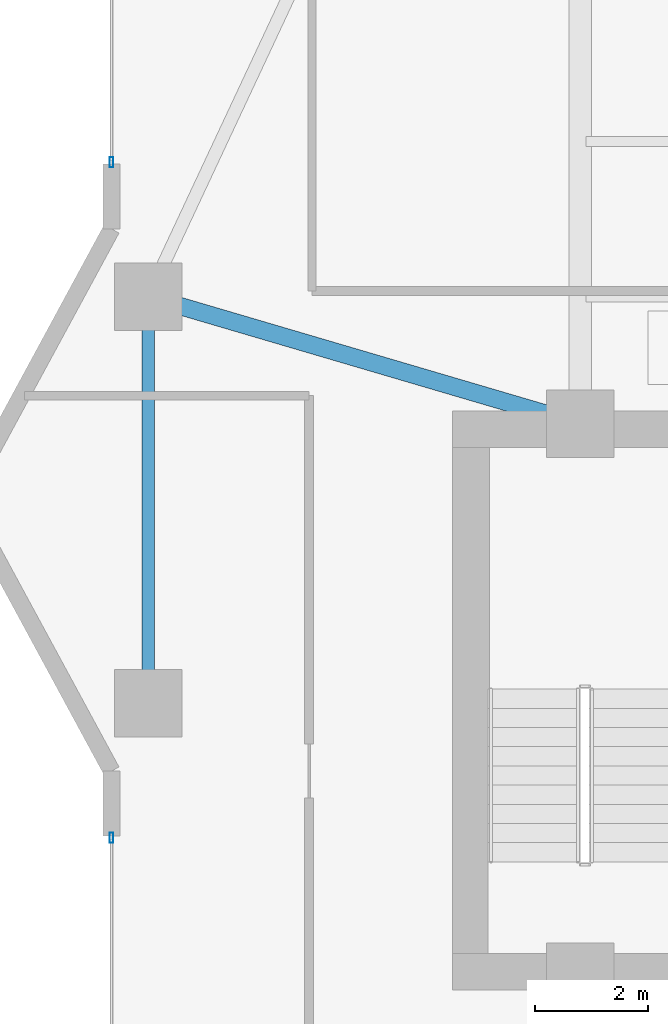
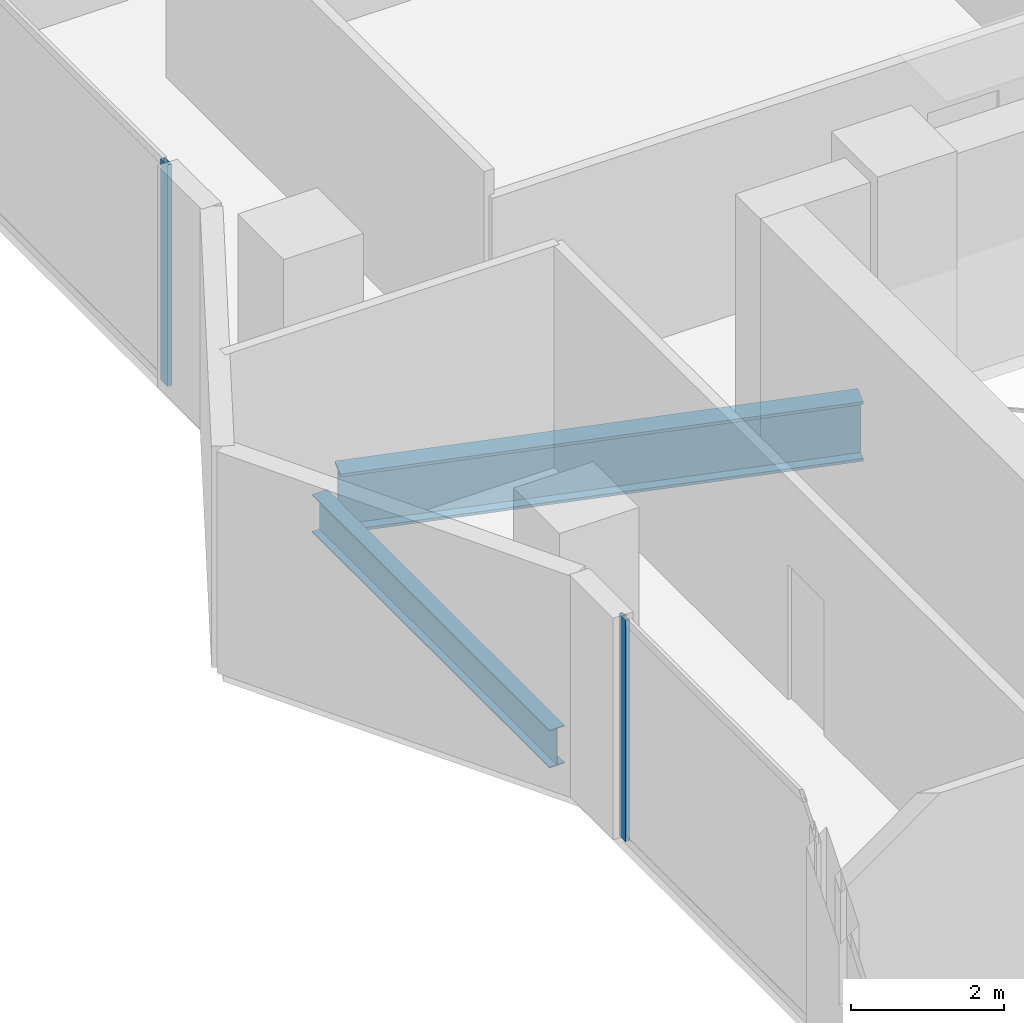
# One storey, part 7 of 32: 2 beams, 2 members, 2 elements without a shape of their own.
"""IFC4 building model written with IfcOpenShell, lengths in metres."""

from ifc_helpers import new_model, si_unit, direction, frame, origin, origin_2d, place, context, subcontext, project, spatial, hollow_rectangle, i_section, extrude, material, layer, layer_set, material_profile, profile_set, type_object, element, aggregate, save


model = new_model("IFC4")

# Units and contexts
model_context = context("Model", 3, precision=1e-05, world=origin(), true_north=direction((0.0, 1.0)))
body_context = subcontext(model_context, "Body", "Model", "MODEL_VIEW")
ifc_project = project(units=[si_unit("LENGTHUNIT", "METRE"), si_unit("AREAUNIT", "SQUARE_METRE"), si_unit("VOLUMEUNIT", "CUBIC_METRE"), si_unit("PLANEANGLEUNIT", "RADIAN"), si_unit("MASSUNIT", "GRAM", prefix="KILO")], contexts=[model_context])

# Site, building, storey
site_placement = place(None, origin())
site = spatial("IfcSite", under=ifc_project, at=site_placement, CompositionType="ELEMENT")
building_placement = place(site_placement, origin())
building = spatial("IfcBuilding", under=site, at=building_placement, Name="Zuhayl Quay Hotel", CompositionType="ELEMENT")
storey_placement = place(building_placement, frame((0.0, 0.0, 181.14990234375)))
storey = spatial("IfcBuildingStorey", under=building, at=storey_placement, Name="L45", CompositionType="ELEMENT", Elevation=181.14990234375)

# Beams
ifc_material_1 = material(Name="Steel ASTM A992 Grade 50", Category="steel")
ifc_material_profile_1 = material_profile(ifc_material_1, i_section(OverallWidth=0.22802734375, OverallDepth=0.60693359375, WebThickness=0.01123046875, FlangeThickness=0.017333984375, at=origin_2d()), Name="W24X76")
ifc_profile_set_1 = profile_set([ifc_material_profile_1], Name="Steel ASTM A992 Grade 50")
beam_type_1 = type_object("IfcBeamType", Name="BM_B3_W24X76", PredefinedType="BEAM", material=ifc_profile_set_1)
beam_1_placement = place(storey_placement, frame((-21.449951171875, 16.10009765625, -0.5234375), z_axis=(0.0, -1.0, 0.0), x_axis=(1.0, 0.0, 0.0)))
element("IfcBeam", 1, at=beam_1_placement, inside=storey, type_object=beam_type_1, Name="L45 Floor Beam RG_L45_11", PredefinedType="BEAM", context=body_context, shape_type="SweptSolid", body=[
    extrude(i_section(OverallWidth=0.22802734375, OverallDepth=0.60693359375, WebThickness=0.01123046875, FlangeThickness=0.017333984375, at=origin_2d()), origin(), (0.0, 0.0, 1.0), 6.2001953125),
])
ifc_material_profile_2 = material_profile(ifc_material_1, i_section(OverallWidth=0.31005859375, OverallDepth=0.949951171875, WebThickness=0.0244140625, FlangeThickness=0.0439453125, at=origin_2d()), Name="W36X256")
ifc_profile_set_2 = profile_set([ifc_material_profile_2], Name="Steel ASTM A992 Grade 50")
beam_type_2 = type_object("IfcBeamType", Name="BM_PG1_W36X256", PredefinedType="BEAM", material=ifc_profile_set_2)
beam_2_placement = place(storey_placement, frame((-20.97021484375, 16.458984375, -0.69482421875), z_axis=(0.959364948093, -0.282168205812, 0.0), x_axis=(0.282168205812, 0.959364948093, 0.0)))
element("IfcBeam", 2, at=beam_2_placement, inside=storey, type_object=beam_type_2, Name="L45 Floor Beam FG_W_L45_2", PredefinedType="BEAM", context=body_context, shape_type="SweptSolid", body=[
    extrude(i_section(OverallWidth=0.31005859375, OverallDepth=0.949951171875, WebThickness=0.0244140625, FlangeThickness=0.0439453125, at=origin_2d()), origin(), (0.0, 0.0, 1.0), 7.02392578125),
])

# Curtain wall, member
ifc_material_2 = material(Name="Anodised Aluminium 6063-T6", Category="aluminium")
ifc_layer = layer(ifc_material_2, 0.175048828125, Name="Anodised Aluminium 6063-T6", Category="aluminium")
ifc_layer_set = layer_set([ifc_layer], Name="Anodised Aluminium 6063-T6")
curtain_wall_type = type_object("IfcCurtainWallType", Name="CW_SYS_Z3", PredefinedType="USERDEFINED", material=ifc_layer_set)
curtain_wall_1_placement = place(storey_placement, origin())
curtain_wall_1 = element("IfcCurtainWall", 3, at=curtain_wall_1_placement, inside=storey, type_object=curtain_wall_type, Name="L45 Curtain Wall ENV_L45_E02_CW1", ObjectType="UNITISED CURTAIN WALL", PredefinedType="USERDEFINED")
ifc_material_3 = material(Name="Black-anodised aluminium 6063-T6", Category="aluminium")
ifc_material_profile_3 = material_profile(ifc_material_3, hollow_rectangle(XDim=0.06494140625, YDim=0.179931640625, WallThickness=0.00341796875, at=origin_2d()), Name="ALU180X65")
ifc_profile_set_3 = profile_set([ifc_material_profile_3], Name="Black-anodised aluminium 6063-T6")
member_type = type_object("IfcMemberType", Name="MB_CW_MUL_180", PredefinedType="MULLION", material=ifc_profile_set_3)
member_1_placement = place(storey_placement, frame((-22.10009765625, 7.017578125, 0.0), z_axis=(0.0, 0.0, 1.0), x_axis=(-1.0, 0.0, 0.0)))
member_1 = element("IfcMember", 4, at=member_1_placement, type_object=member_type, Name="CW-Z3 mullion 2", PredefinedType="MULLION", context=body_context, shape_type="SweptSolid", body=[
    extrude(hollow_rectangle(XDim=0.06494140625, YDim=0.179931640625, WallThickness=0.00341796875, at=origin_2d()), origin(), (0.0, 0.0, 1.0), 3.530029296875),
])
aggregate(curtain_wall_1, [member_1])

curtain_wall_2_placement = place(storey_placement, origin())
curtain_wall_2 = element("IfcCurtainWall", 5, at=curtain_wall_2_placement, inside=storey, type_object=curtain_wall_type, Name="L45 Curtain Wall ENV_L45_E05_CW1", ObjectType="UNITISED CURTAIN WALL", PredefinedType="USERDEFINED")
member_2_placement = place(storey_placement, frame((-22.10009765625, 18.982421875, 0.0), z_axis=(0.0, 0.0, 1.0), x_axis=(-1.0, 0.0, 0.0)))
member_2 = element("IfcMember", 6, at=member_2_placement, type_object=member_type, Name="CW-Z3 mullion 1", PredefinedType="MULLION", context=body_context, shape_type="SweptSolid", body=[
    extrude(hollow_rectangle(XDim=0.06494140625, YDim=0.179931640625, WallThickness=0.00341796875, at=origin_2d()), origin(), (0.0, 0.0, 1.0), 3.530029296875),
])
aggregate(curtain_wall_2, [member_2])

save(model, "model.ifc")
